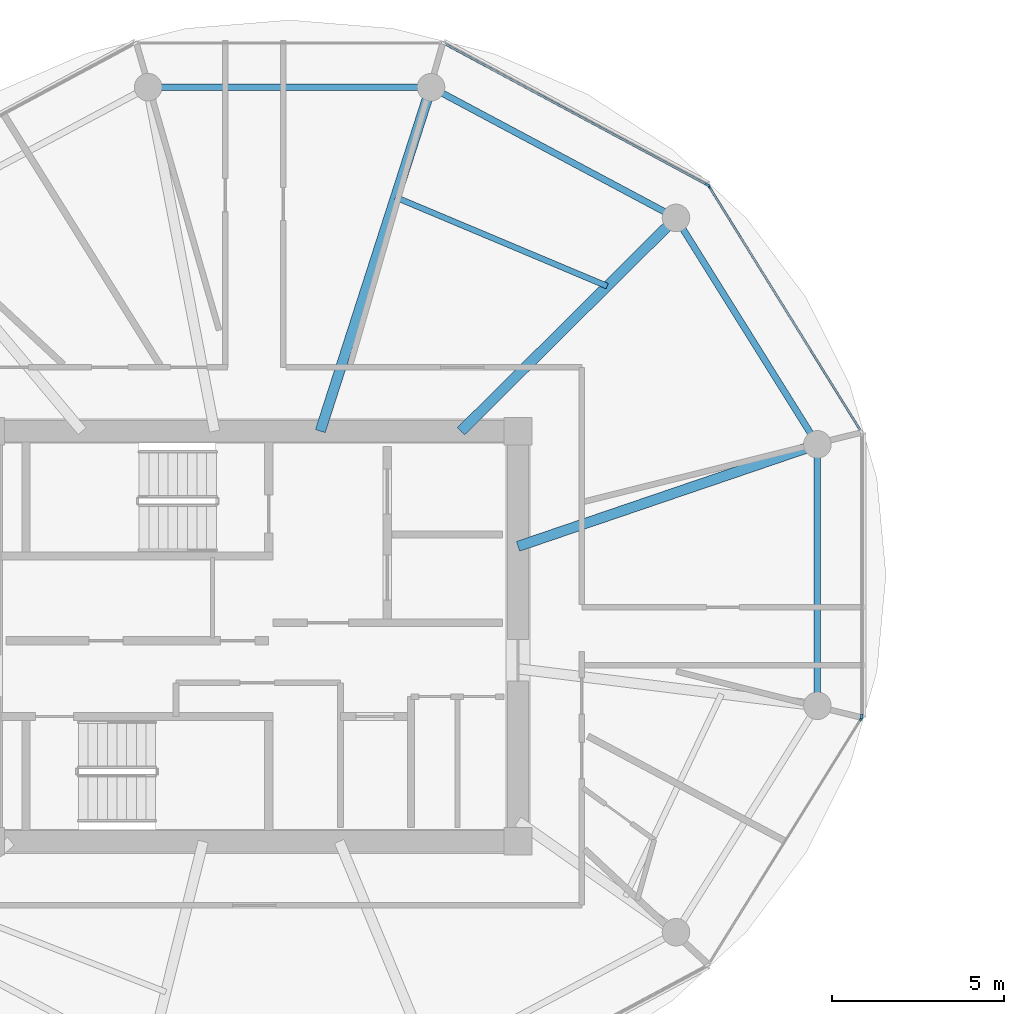
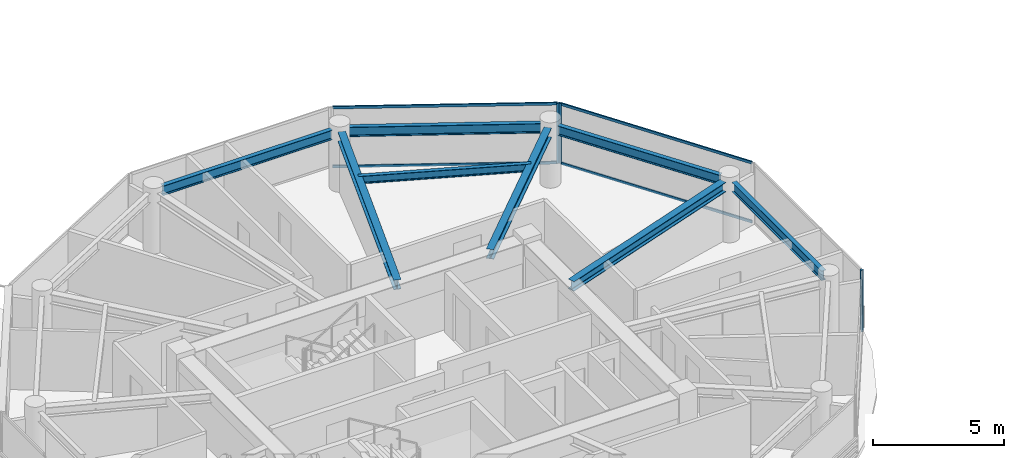
# One storey, part 5 of 23: 8 beams, 8 members, 4 elements without a shape of their own.
"""IFC4 building model written with IfcOpenShell, lengths in metres."""

from ifc_helpers import new_model, si_unit, direction, frame, origin, origin_2d, place, context, subcontext, project, spatial, rectangle, i_section, extrude, source, transform, mapped, material, layer, layer_set, material_profile, profile_set, type_object, type_shapes, element, aggregate, save


model = new_model("IFC4")

# Units and contexts
model_context = context("Model", 3, precision=1e-05, world=origin(), true_north=direction((0.0, 1.0)))
body_context = subcontext(model_context, "Body", "Model", "MODEL_VIEW")
ifc_project = project(units=[si_unit("LENGTHUNIT", "METRE"), si_unit("AREAUNIT", "SQUARE_METRE"), si_unit("VOLUMEUNIT", "CUBIC_METRE"), si_unit("PLANEANGLEUNIT", "RADIAN"), si_unit("MASSUNIT", "GRAM", prefix="KILO")], contexts=[model_context])

# Site, building, storey
site_placement = place(None, origin())
site = spatial("IfcSite", under=ifc_project, at=site_placement, CompositionType="ELEMENT")
building_placement = place(site_placement, origin())
building = spatial("IfcBuilding", under=site, at=building_placement, Name="Norrkilde Senior Care Towers", CompositionType="ELEMENT")
storey_placement = place(building_placement, frame((0.0, 0.0, 164.800048828125)))
storey = spatial("IfcBuildingStorey", under=building, at=storey_placement, Name="L51", CompositionType="ELEMENT", Elevation=164.800048828125)

# Beams
ifc_material_1 = material(Name="Steel S355", Category="steel")
ifc_material_profile_1 = material_profile(ifc_material_1, i_section(OverallWidth=0.18994140625, OverallDepth=0.449951171875, WebThickness=0.009521484375, FlangeThickness=0.0146484375, FilletRadius=0.02099609375, at=origin_2d()), Name="IPE 450")
ifc_profile_set_1 = profile_set([ifc_material_profile_1], Name="Steel S355")
beam_type_1 = type_object("IfcBeamType", Name="Perimeter Ring Spandrel Z3 IPE450", PredefinedType="SPANDREL", material=ifc_profile_set_1)
shared_shape_1 = source(origin(), body_context, "Body", "SweptSolid", [
    extrude(i_section(OverallWidth=0.18994140625, OverallDepth=0.449951171875, WebThickness=0.009521484375, FlangeThickness=0.0146484375, FilletRadius=0.02099609375, at=origin_2d()), origin(), (0.0, 0.0, 1.0), 7.0234375),
])
beam_1_placement = place(storey_placement, frame((-11.855712890625, 5.872314453125, 2.5849609375), z_axis=(-0.529789577822, 0.848129119433, 0.0), x_axis=(-0.848129119433, -0.529789577822, 0.0)))
element("IfcBeam", 1, at=beam_1_placement, inside=storey, type_object=beam_type_1, Name="L51 Drum W Perimeter Spandrel 01", PredefinedType="SPANDREL", context=body_context, shape_type="MappedRepresentation", body=[
    mapped(shared_shape_1, transform((0.0, 0.0, 0.0), x_axis=(1.0, 0.0, 0.0), y_axis=(0.0, 1.0, 0.0), z_axis=(0.0, 0.0, 1.0), scale=1.0)),
])
ifc_material_profile_2 = material_profile(ifc_material_1, i_section(OverallWidth=0.300048828125, OverallDepth=0.449951171875, WebThickness=0.013916015625, FlangeThickness=0.02587890625, FilletRadius=0.027099609375, at=origin_2d()), Name="HEB 450")
ifc_profile_set_2 = profile_set([ifc_material_profile_2], Name="Steel S355")
beam_type_2 = type_object("IfcBeamType", Name="Radial Floor Beam Z3 HEB450", PredefinedType="BEAM", material=ifc_profile_set_2)
shared_shape_2 = source(origin(), body_context, "Body", "SweptSolid", [
    extrude(i_section(OverallWidth=0.300048828125, OverallDepth=0.449951171875, WebThickness=0.013916015625, FlangeThickness=0.02587890625, FilletRadius=0.027099609375, at=origin_2d()), origin(), (0.0, 0.0, 1.0), 8.8154296875),
])
beam_2_placement = place(storey_placement, frame((-20.35009765625, 2.607177734375, 2.5849609375), z_axis=(0.946540556878, 0.322584832539, 0.0), x_axis=(-0.322584832539, 0.946540556878, 0.0)))
element("IfcBeam", 2, at=beam_2_placement, inside=storey, type_object=beam_type_2, Name="L51 Drum W Radial Floor Beam 01", PredefinedType="BEAM", context=body_context, shape_type="MappedRepresentation", body=[
    mapped(shared_shape_2, transform((0.0, 0.0, 0.0), x_axis=(1.0, 0.0, 0.0), y_axis=(0.0, 1.0, 0.0), z_axis=(0.0, 0.0, 1.0), scale=1.0)),
])
shared_shape_3 = source(origin(), body_context, "Body", "SweptSolid", [
    extrude(i_section(OverallWidth=0.18994140625, OverallDepth=0.449951171875, WebThickness=0.009521484375, FlangeThickness=0.0146484375, FilletRadius=0.02099609375, at=origin_2d()), origin(), (0.0, 0.0, 1.0), 7.333740234375),
])
beam_3_placement = place(storey_placement, frame((-16.0849609375, 12.303955078125, 2.5849609375), z_axis=(-0.882247866069, 0.470785198172, 0.0), x_axis=(-0.470785198172, -0.882247866069, 0.0)))
element("IfcBeam", 3, at=beam_3_placement, inside=storey, type_object=beam_type_1, Name="L51 Drum W Perimeter Spandrel 02", PredefinedType="SPANDREL", context=body_context, shape_type="MappedRepresentation", body=[
    mapped(shared_shape_3, transform((0.0, 0.0, 0.0), x_axis=(1.0, 0.0, 0.0), y_axis=(0.0, 1.0, 0.0), z_axis=(0.0, 0.0, 1.0), scale=1.0)),
])
shared_shape_4 = source(origin(), body_context, "Body", "SweptSolid", [
    extrude(i_section(OverallWidth=0.300048828125, OverallDepth=0.449951171875, WebThickness=0.013916015625, FlangeThickness=0.02587890625, FilletRadius=0.027099609375, at=origin_2d()), origin(), (0.0, 0.0, 1.0), 8.421630859375),
])
beam_4_placement = place(storey_placement, frame((-22.001953125, 5.949951171875, 2.5849609375), z_axis=(0.709956495972, 0.704245535184, 0.0), x_axis=(-0.704245535184, 0.709956495972, 0.0)))
element("IfcBeam", 4, at=beam_4_placement, inside=storey, type_object=beam_type_2, Name="L51 Drum W Radial Floor Beam 02", PredefinedType="BEAM", context=body_context, shape_type="MappedRepresentation", body=[
    mapped(shared_shape_4, transform((0.0, 0.0, 0.0), x_axis=(1.0, 0.0, 0.0), y_axis=(0.0, 1.0, 0.0), z_axis=(0.0, 0.0, 1.0), scale=1.0)),
])
shared_shape_5 = source(origin(), body_context, "Body", "SweptSolid", [
    extrude(i_section(OverallWidth=0.18994140625, OverallDepth=0.449951171875, WebThickness=0.009521484375, FlangeThickness=0.0146484375, FilletRadius=0.02099609375, at=origin_2d()), origin(), (0.0, 0.0, 1.0), 7.484619140625),
])
beam_5_placement = place(storey_placement, frame((-23.232666015625, 15.92626953125, 2.5849609375), z_axis=(-1.0, 0.0, 0.0), x_axis=(0.0, -1.0, 0.0)))
element("IfcBeam", 5, at=beam_5_placement, inside=storey, type_object=beam_type_1, Name="L51 Drum W Perimeter Spandrel 03", PredefinedType="SPANDREL", context=body_context, shape_type="MappedRepresentation", body=[
    mapped(shared_shape_5, transform((0.0, 0.0, 0.0), x_axis=(1.0, 0.0, 0.0), y_axis=(0.0, 1.0, 0.0), z_axis=(0.0, 0.0, 1.0), scale=1.0)),
])
shared_shape_6 = source(origin(), body_context, "Body", "SweptSolid", [
    extrude(i_section(OverallWidth=0.300048828125, OverallDepth=0.449951171875, WebThickness=0.013916015625, FlangeThickness=0.02587890625, FilletRadius=0.027099609375, at=origin_2d()), origin(), (0.0, 0.0, 1.0), 10.120361328125),
])
type_shapes(beam_type_2, [shared_shape_2, shared_shape_4, shared_shape_6])
beam_6_placement = place(storey_placement, frame((-26.08447265625, 5.949951171875, 2.5849609375), z_axis=(0.306440973744, 0.951889662519, 0.0), x_axis=(-0.951889662519, 0.306440973744, 0.0)))
element("IfcBeam", 6, at=beam_6_placement, inside=storey, type_object=beam_type_2, Name="L51 Drum W Radial Floor Beam 03", PredefinedType="BEAM", context=body_context, shape_type="MappedRepresentation", body=[
    mapped(shared_shape_6, transform((0.0, 0.0, 0.0), x_axis=(1.0, 0.0, 0.0), y_axis=(0.0, 1.0, 0.0), z_axis=(0.0, 0.0, 1.0), scale=1.0)),
])
shared_shape_7 = source(origin(), body_context, "Body", "SweptSolid", [
    extrude(i_section(OverallWidth=0.18994140625, OverallDepth=0.449951171875, WebThickness=0.009521484375, FlangeThickness=0.0146484375, FilletRadius=0.02099609375, at=origin_2d()), origin(), (0.0, 0.0, 1.0), 6.86328125),
])
type_shapes(beam_type_1, [shared_shape_1, shared_shape_3, shared_shape_5, shared_shape_7])
beam_7_placement = place(storey_placement, frame((-11.6650390625, -1.65625, 2.5849609375), z_axis=(0.0, 1.0, 0.0), x_axis=(-1.0, 0.0, 0.0)))
element("IfcBeam", 7, at=beam_7_placement, inside=storey, type_object=beam_type_1, Name="L51 Drum W Perimeter Spandrel 12", PredefinedType="SPANDREL", context=body_context, shape_type="MappedRepresentation", body=[
    mapped(shared_shape_7, transform((0.0, 0.0, 0.0), x_axis=(1.0, 0.0, 0.0), y_axis=(0.0, 1.0, 0.0), z_axis=(0.0, 0.0, 1.0), scale=1.0)),
])
ifc_material_profile_3 = material_profile(ifc_material_1, i_section(OverallWidth=0.169921875, OverallDepth=0.360107421875, WebThickness=0.008056640625, FlangeThickness=0.0126953125, FilletRadius=0.01806640625, at=origin_2d()), Name="IPE 360")
ifc_profile_set_3 = profile_set([ifc_material_profile_3], Name="Steel S355")
beam_type_3 = type_object("IfcBeamType", Name="Secondary Floor Joist IPE360", PredefinedType="JOIST", material=ifc_profile_set_3)
shared_shape_8 = source(origin(), body_context, "Body", "SweptSolid", [
    extrude(i_section(OverallWidth=0.169921875, OverallDepth=0.360107421875, WebThickness=0.008056640625, FlangeThickness=0.0126953125, FilletRadius=0.01806640625, at=origin_2d()), origin(), (0.0, 0.0, 1.0), 6.657470703125),
])
type_shapes(beam_type_3, [shared_shape_8])
beam_8_placement = place(storey_placement, frame((-17.762451171875, 10.155517578125, 2.6298828125), z_axis=(-0.921958799252, 0.387287971, 0.0), x_axis=(-0.387287971, -0.921958799252, 0.0)))
element("IfcBeam", 8, at=beam_8_placement, inside=storey, type_object=beam_type_3, Name="L51 Drum W Secondary Floor Joist 1", PredefinedType="JOIST", context=body_context, shape_type="MappedRepresentation", body=[
    mapped(shared_shape_8, transform((0.0, 0.0, 0.0), x_axis=(1.0, 0.0, 0.0), y_axis=(0.0, 1.0, 0.0), z_axis=(0.0, 0.0, 1.0), scale=1.0)),
])

# Curtain wall, member
ifc_material_2 = material(Name="Triple Low-E Insulated Glazing", Category="glass")
ifc_layer = layer(ifc_material_2, 0.18994140625)
ifc_layer_set = layer_set([ifc_layer], Name="Triple Low-E Insulated Glazing")
curtain_wall_type = type_object("IfcCurtainWallType", Name="CW4 Zone 3 Senior Residence Curtain Wall", PredefinedType="NOTDEFINED", material=ifc_layer_set)
curtain_wall_1_placement = place(storey_placement, origin())
curtain_wall_1 = element("IfcCurtainWall", 9, at=curtain_wall_1_placement, inside=storey, type_object=curtain_wall_type, Name="L51 Drum W Curtain Wall 00", PredefinedType="NOTDEFINED")
ifc_material_3 = material(Name="Anodised Aluminium", Category="aluminium")
ifc_material_profile_4 = material_profile(ifc_material_3, rectangle(XDim=0.06494140625, YDim=0.14990234375, at=origin_2d()), Name="ALU MULL 65x150")
ifc_profile_set_4 = profile_set([ifc_material_profile_4], Name="Anodised Aluminium")
member_type_1 = type_object("IfcMemberType", Name="Curtain Wall Mullion Z3-Z4 65x150", PredefinedType="MULLION", material=ifc_profile_set_4)
shared_shape_9 = source(origin(), body_context, "Body", "SweptSolid", [
    extrude(rectangle(XDim=0.06494140625, YDim=0.14990234375, at=origin_2d()), origin(), (0.0, 0.0, 1.0), 2.81005859375),
])
type_shapes(member_type_1, [shared_shape_9])
member_1_placement = place(storey_placement, frame((-14.809814453125, 13.04736328125, 0.0), z_axis=(0.0, 0.0, 1.0), x_axis=(0.84963405474, 0.52737270789, 0.0)))
member_1 = element("IfcMember", 10, at=member_1_placement, type_object=member_type_1, Name="CW-4 mullion 1", PredefinedType="MULLION", context=body_context, shape_type="MappedRepresentation", body=[
    mapped(shared_shape_9, transform((0.0, 0.0, 0.0), x_axis=(1.0, 0.0, 0.0), y_axis=(0.0, 1.0, 0.0), z_axis=(0.0, 0.0, 1.0), scale=1.0)),
])

curtain_wall_2_placement = place(storey_placement, origin())
curtain_wall_2 = element("IfcCurtainWall", 11, at=curtain_wall_2_placement, inside=storey, type_object=curtain_wall_type, Name="L51 Drum W Curtain Wall 01", PredefinedType="NOTDEFINED")
member_2_placement = place(storey_placement, frame((-14.85546875, 13.09033203125, 0.0), z_axis=(0.0, 0.0, 1.0), x_axis=(0.47311715104, 0.880999524059, 0.0)))
member_2 = element("IfcMember", 12, at=member_2_placement, type_object=member_type_1, Name="CW-4 mullion 2", PredefinedType="MULLION", context=body_context, shape_type="MappedRepresentation", body=[
    mapped(shared_shape_9, transform((0.0, 0.0, 0.0), x_axis=(1.0, 0.0, 0.0), y_axis=(0.0, 1.0, 0.0), z_axis=(0.0, 0.0, 1.0), scale=1.0)),
])

curtain_wall_3_placement = place(storey_placement, origin())
curtain_wall_3 = element("IfcCurtainWall", 13, at=curtain_wall_3_placement, inside=storey, type_object=curtain_wall_type, Name="L51 Drum W Curtain Wall 10", PredefinedType="NOTDEFINED")
member_3_placement = place(storey_placement, frame((-10.3974609375, -2.38818359375, 0.0), z_axis=(0.0, 0.0, 1.0), x_axis=(0.84963405474, -0.52737270789, 0.0)))
member_3 = element("IfcMember", 14, at=member_3_placement, type_object=member_type_1, Name="CW-4 mullion 1", PredefinedType="MULLION", context=body_context, shape_type="MappedRepresentation", body=[
    mapped(shared_shape_9, transform((0.0, 0.0, 0.0), x_axis=(1.0, 0.0, 0.0), y_axis=(0.0, 1.0, 0.0), z_axis=(0.0, 0.0, 1.0), scale=1.0)),
])
aggregate(curtain_wall_3, [member_3])

curtain_wall_4_placement = place(storey_placement, origin())
curtain_wall_4 = element("IfcCurtainWall", 15, at=curtain_wall_4_placement, inside=storey, type_object=curtain_wall_type, Name="L51 Drum W Curtain Wall 11", PredefinedType="NOTDEFINED")
member_4_placement = place(storey_placement, frame((-10.38037109375, -2.328125, 0.0), z_axis=(0.0, 0.0, 1.0), x_axis=(1.0, 0.0, 0.0)))
member_4 = element("IfcMember", 16, at=member_4_placement, type_object=member_type_1, Name="CW-4 mullion 2", PredefinedType="MULLION", context=body_context, shape_type="MappedRepresentation", body=[
    mapped(shared_shape_9, transform((0.0, 0.0, 0.0), x_axis=(1.0, 0.0, 0.0), y_axis=(0.0, 1.0, 0.0), z_axis=(0.0, 0.0, 1.0), scale=1.0)),
])
aggregate(curtain_wall_4, [member_4])

# Member
ifc_material_profile_5 = material_profile(ifc_material_3, rectangle(XDim=0.06005859375, YDim=0.1201171875, at=origin_2d()), Name="ALU TRAN 60x120")
ifc_profile_set_5 = profile_set([ifc_material_profile_5], Name="Anodised Aluminium")
member_type_2 = type_object("IfcMemberType", Name="Curtain Wall Transom Typical 60x120", PredefinedType="USERDEFINED", material=ifc_profile_set_5)
shared_shape_10 = source(origin(), body_context, "Body", "SweptSolid", [
    extrude(rectangle(XDim=0.06005859375, YDim=0.1201171875, at=origin_2d()), origin(), (0.0, 0.0, 1.0), 8.301513671875),
])
member_5_placement = place(storey_placement, frame((-14.792724609375, 13.019775390625, 0.030029296875), z_axis=(0.527368718394, -0.849636531029, 0.0), x_axis=(0.849636531029, 0.527368718394, 0.0)))
member_5 = element("IfcMember", 17, at=member_5_placement, type_object=member_type_2, Name="CW-4 transom 1.1", ObjectType="TRANSOM", PredefinedType="USERDEFINED", context=body_context, shape_type="MappedRepresentation", body=[
    mapped(shared_shape_10, transform((0.0, 0.0, 0.0), x_axis=(1.0, 0.0, 0.0), y_axis=(0.0, 1.0, 0.0), z_axis=(0.0, 0.0, 1.0), scale=1.0)),
])

member_6_placement = place(storey_placement, frame((-14.792724609375, 13.019775390625, 2.780029296875), z_axis=(0.527368718394, -0.849636531029, 0.0), x_axis=(0.849636531029, 0.527368718394, 0.0)))
member_6 = element("IfcMember", 18, at=member_6_placement, type_object=member_type_2, Name="CW-4 transom 1.2", ObjectType="TRANSOM", PredefinedType="USERDEFINED", context=body_context, shape_type="MappedRepresentation", body=[
    mapped(shared_shape_10, transform((0.0, 0.0, 0.0), x_axis=(1.0, 0.0, 0.0), y_axis=(0.0, 1.0, 0.0), z_axis=(0.0, 0.0, 1.0), scale=1.0)),
])

aggregate(curtain_wall_1, [member_1, member_5, member_6])

shared_shape_11 = source(origin(), body_context, "Body", "SweptSolid", [
    extrude(rectangle(XDim=0.06005859375, YDim=0.1201171875, at=origin_2d()), origin(), (0.0, 0.0, 1.0), 8.61181640625),
])
type_shapes(member_type_2, [shared_shape_10, shared_shape_11])
member_7_placement = place(storey_placement, frame((-22.47119140625, 17.18017578125, 0.030029296875), z_axis=(0.880993991641, -0.473127452906, 0.0), x_axis=(0.473127452906, 0.880993991641, 0.0)))
member_7 = element("IfcMember", 19, at=member_7_placement, type_object=member_type_2, Name="CW-4 transom 1.1", ObjectType="TRANSOM", PredefinedType="USERDEFINED", context=body_context, shape_type="MappedRepresentation", body=[
    mapped(shared_shape_11, transform((0.0, 0.0, 0.0), x_axis=(1.0, 0.0, 0.0), y_axis=(0.0, 1.0, 0.0), z_axis=(0.0, 0.0, 1.0), scale=1.0)),
])

member_8_placement = place(storey_placement, frame((-22.47119140625, 17.18017578125, 2.780029296875), z_axis=(0.880993991641, -0.473127452906, 0.0), x_axis=(0.473127452906, 0.880993991641, 0.0)))
member_8 = element("IfcMember", 20, at=member_8_placement, type_object=member_type_2, Name="CW-4 transom 1.2", ObjectType="TRANSOM", PredefinedType="USERDEFINED", context=body_context, shape_type="MappedRepresentation", body=[
    mapped(shared_shape_11, transform((0.0, 0.0, 0.0), x_axis=(1.0, 0.0, 0.0), y_axis=(0.0, 1.0, 0.0), z_axis=(0.0, 0.0, 1.0), scale=1.0)),
])

aggregate(curtain_wall_2, [member_2, member_7, member_8])

save(model, "model.ifc")
